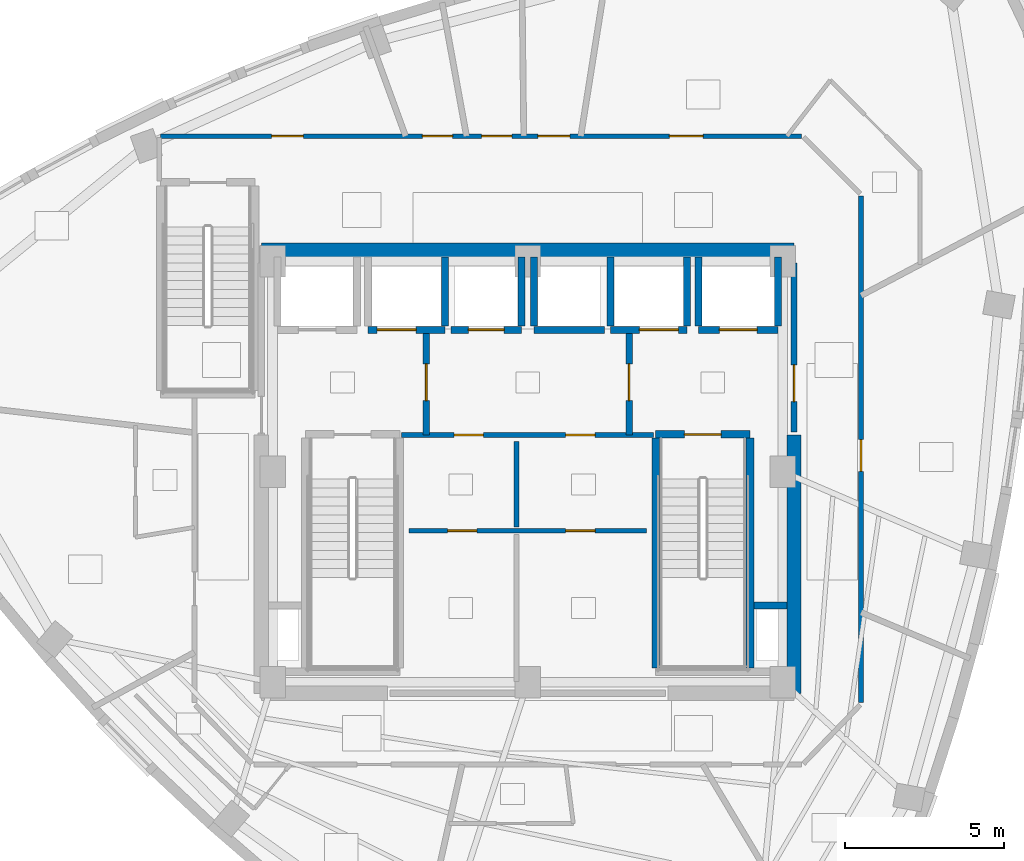
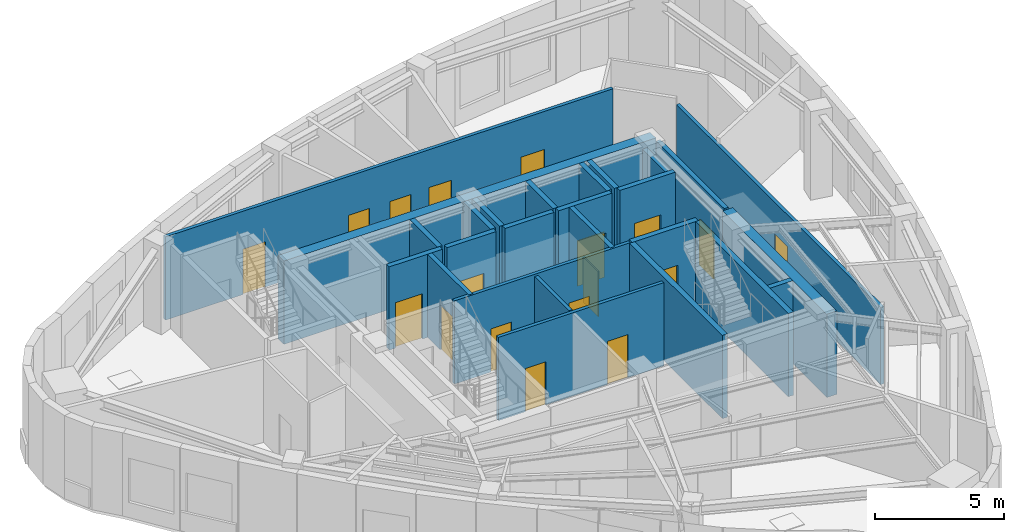
# One storey, part 4 of 9: 26 walls, 18 doors, 18 openings.
"""IFC4 building model written with IfcOpenShell, lengths in metres."""

from ifc_helpers import new_model, si_unit, direction, frame, frame_2d, origin, place, context, subcontext, project, spatial, rectangle, extrude, material, layer, layer_set, type_object, element, fill, save


model = new_model("IFC4")

# Units and contexts
model_context = context("Model", 3, precision=1e-05, world=origin(), true_north=direction((0.0, 1.0)))
body_context = subcontext(model_context, "Body", "Model", "MODEL_VIEW")
ifc_project = project(units=[si_unit("LENGTHUNIT", "METRE"), si_unit("AREAUNIT", "SQUARE_METRE"), si_unit("VOLUMEUNIT", "CUBIC_METRE"), si_unit("PLANEANGLEUNIT", "RADIAN"), si_unit("MASSUNIT", "GRAM", prefix="KILO")], contexts=[model_context])

# Site, building, storey
site_placement = place(None, origin())
site = spatial("IfcSite", under=ifc_project, at=site_placement, CompositionType="ELEMENT")
building_placement = place(site_placement, origin())
building = spatial("IfcBuilding", under=site, at=building_placement, Name="Ndelora Gate Hotel", CompositionType="ELEMENT")
storey_placement = place(building_placement, frame((0.0, 0.0, 268.60009765625)))
storey = spatial("IfcBuildingStorey", under=building, at=storey_placement, Name="L67", CompositionType="ELEMENT", Elevation=268.60009765625)

# Walls
ifc_material_1 = material(Name="Concrete C50/60", Category="concrete")
ifc_layer_1 = layer(ifc_material_1, 0.449951171875)
ifc_layer_set_1 = layer_set([ifc_layer_1], Name="Concrete C50/60")
wall_type_1 = type_object("IfcWallType", Name="WL-CORE-450", PredefinedType="SHEAR", material=ifc_layer_set_1)
wall_1_placement = place(storey_placement, frame((-8.35009765625, 6.949951171875, 0.0), z_axis=(0.0, 0.0, 1.0), x_axis=(1.0, 0.0, 0.0)))
element("IfcWall", 1, at=wall_1_placement, inside=storey, type_object=wall_type_1, Name="L67 Core Shear Wall N", PredefinedType="SHEAR", context=body_context, shape_type="SweptSolid", body=[
    extrude(rectangle(XDim=16.7001953125, YDim=0.449951171875, at=frame_2d((8.35009765625, 0.0))), origin(), (0.0, 0.0, 1.0), 3.949951171875),
])
wall_2_placement = place(storey_placement, frame((8.35009765625, -6.949951171875, 0.0), z_axis=(0.0, 0.0, 1.0), x_axis=(0.0, 1.0, 0.0)))
element("IfcWall", 2, at=wall_2_placement, inside=storey, type_object=wall_type_1, Name="L67 Core Shear Wall E", PredefinedType="SHEAR", context=body_context, shape_type="SweptSolid", body=[
    extrude(rectangle(XDim=8.099853515625, YDim=0.449951171875, at=frame_2d((4.0498046875, 0.0))), origin(), (0.0, 0.0, 1.0), 3.949951171875),
])

# Wall, opening, door
ifc_material_2 = material(Name="Concrete C40/50", Category="concrete")
ifc_layer_2 = layer(ifc_material_2, 0.199951171875)
ifc_layer_set_2 = layer_set([ifc_layer_2], Name="Concrete C40/50")
wall_type_2 = type_object("IfcWallType", Name="WL-FIRE-200", PredefinedType="PARTITIONING", material=ifc_layer_set_2)
wall_3_placement = place(storey_placement, frame((-3.179931640625, 1.14990234375, 0.0), z_axis=(0.0, 0.0, 1.0), x_axis=(0.0, 1.0, 0.0)))
wall_3 = element("IfcWall", 3, at=wall_3_placement, inside=storey, type_object=wall_type_2, Name="L67 Interior Wall IW-2", PredefinedType="PARTITIONING", context=body_context, shape_type="SweptSolid", body=[
    extrude(rectangle(XDim=3.300048828125, YDim=0.199951171875, at=frame_2d((1.64990234375, 0.0))), origin(), (0.0, 0.0, 1.0), 3.949951171875),
])
opening_1_placement = place(wall_3_placement, frame((1.080078125, 0.0, 0.0)))
opening_1 = element("IfcOpeningElement", 4, at=opening_1_placement, cuts=wall_3, Name="Opening FD1", PredefinedType="OPENING", context=body_context, shape_type="SweptSolid", body=[
    extrude(rectangle(XDim=1.14990234375, YDim=2.14990234375, at=frame_2d((0.574951171875, 1.074951171875))), frame((0.0, 0.10986328125, 0.0), z_axis=(0.0, -1.0, 0.0), x_axis=(1.0, 0.0, 0.0)), (0.0, 0.0, 1.0), 0.219970703125),
])
ifc_material_3 = material(Name="Fire-Rated Timber-Veneer Steel Core", Category="steel")
door_type_1 = type_object("IfcDoorType", Name="DR-FD60", OperationType="SINGLE_SWING_LEFT", PredefinedType="DOOR", material=ifc_material_3)
door_1_placement = place(opening_1_placement, origin())
door_1 = element("IfcDoor", 5, at=door_1_placement, inside=storey, type_object=door_type_1, Name="L67 Firefighting Lobby West Door", OperationType="SINGLE_SWING_RIGHT", OverallHeight=2.14990234375, OverallWidth=1.14990234375, PredefinedType="DOOR", context=body_context, shape_type="SweptSolid", body=[
    extrude(rectangle(XDim=1.14990234375, YDim=2.14990234375, at=frame_2d((0.574951171875, 1.074951171875))), frame((0.0, 0.02490234375, 0.0), z_axis=(0.0, -1.0, 0.0), x_axis=(1.0, 0.0, 0.0)), (0.0, 0.0, 1.0), 0.050048828125),
])
fill(opening_1, door_1)

wall_4_placement = place(storey_placement, frame((3.179931640625, 1.14990234375, 0.0), z_axis=(0.0, 0.0, 1.0), x_axis=(0.0, 1.0, 0.0)))
wall_4 = element("IfcWall", 6, at=wall_4_placement, inside=storey, type_object=wall_type_2, Name="L67 Interior Wall IW-2", PredefinedType="PARTITIONING", context=body_context, shape_type="SweptSolid", body=[
    extrude(rectangle(XDim=3.300048828125, YDim=0.199951171875, at=frame_2d((1.64990234375, 0.0))), origin(), (0.0, 0.0, 1.0), 3.949951171875),
])
opening_2_placement = place(wall_4_placement, frame((1.080078125, 0.0, 0.0)))
opening_2 = element("IfcOpeningElement", 7, at=opening_2_placement, cuts=wall_4, Name="Opening FD1", PredefinedType="OPENING", context=body_context, shape_type="SweptSolid", body=[
    extrude(rectangle(XDim=1.14990234375, YDim=2.14990234375, at=frame_2d((0.574951171875, 1.074951171875))), frame((0.0, 0.10986328125, 0.0), z_axis=(0.0, -1.0, 0.0), x_axis=(1.0, 0.0, 0.0)), (0.0, 0.0, 1.0), 0.219970703125),
])
door_2_placement = place(opening_2_placement, origin())
door_2 = element("IfcDoor", 8, at=door_2_placement, inside=storey, type_object=door_type_1, Name="L67 Firefighting Lobby East Door", OperationType="SINGLE_SWING_LEFT", OverallHeight=2.14990234375, OverallWidth=1.14990234375, PredefinedType="DOOR", context=body_context, shape_type="SweptSolid", body=[
    extrude(rectangle(XDim=1.14990234375, YDim=2.14990234375, at=frame_2d((0.574951171875, 1.074951171875))), frame((0.0, 0.02490234375, 0.0), z_axis=(0.0, -1.0, 0.0), x_axis=(1.0, 0.0, 0.0)), (0.0, 0.0, 1.0), 0.050048828125),
])
fill(opening_2, door_2)

wall_5_placement = place(storey_placement, frame((8.35009765625, 1.25, 0.0), z_axis=(0.0, 0.0, 1.0), x_axis=(0.0, 1.0, 0.0)))
wall_5 = element("IfcWall", 9, at=wall_5_placement, inside=storey, type_object=wall_type_2, Name="L67 Interior Wall IW-2", PredefinedType="PARTITIONING", context=body_context, shape_type="SweptSolid", body=[
    extrude(rectangle(XDim=5.300048828125, YDim=0.199951171875, at=frame_2d((2.64990234375, 0.0))), origin(), (0.0, 0.0, 1.0), 3.949951171875),
])
opening_3_placement = place(wall_5_placement, frame((0.949951171875, 0.0, 0.0)))
opening_3 = element("IfcOpeningElement", 10, at=opening_3_placement, cuts=wall_5, Name="Opening FD1", PredefinedType="OPENING", context=body_context, shape_type="SweptSolid", body=[
    extrude(rectangle(XDim=1.14990234375, YDim=2.14990234375, at=frame_2d((0.574951171875, 1.074951171875))), frame((0.0, 0.10986328125, 0.0), z_axis=(0.0, -1.0, 0.0), x_axis=(1.0, 0.0, 0.0)), (0.0, 0.0, 1.0), 0.219970703125),
])
door_3_placement = place(opening_3_placement, origin())
door_3 = element("IfcDoor", 11, at=door_3_placement, inside=storey, type_object=door_type_1, Name="L67 Firefighting Lobby East Corridor Door", OperationType="SINGLE_SWING_RIGHT", OverallHeight=2.14990234375, OverallWidth=1.14990234375, PredefinedType="DOOR", context=body_context, shape_type="SweptSolid", body=[
    extrude(rectangle(XDim=1.14990234375, YDim=2.14990234375, at=frame_2d((0.574951171875, 1.074951171875))), frame((0.0, 0.02490234375, 0.0), z_axis=(0.0, -1.0, 0.0), x_axis=(1.0, 0.0, 0.0)), (0.0, 0.0, 1.0), 0.050048828125),
])
fill(opening_3, door_3)

# Wall, openings, doors
ifc_material_4 = material(Name="Fire-Rated Gypsum Stud Partition", Category="gypsum")
ifc_layer_3 = layer(ifc_material_4, 0.14990234375)
ifc_layer_set_3 = layer_set([ifc_layer_3], Name="Fire-Rated Gypsum Stud Partition")
wall_type_3 = type_object("IfcWallType", Name="WL-PART-150", PredefinedType="PARTITIONING", material=ifc_layer_set_3)
wall_6_placement = place(storey_placement, frame((3.949951171875, 1.14990234375, 0.0), z_axis=(0.0, 0.0, 1.0), x_axis=(-1.0, 0.0, 0.0)))
wall_6 = element("IfcWall", 12, at=wall_6_placement, inside=storey, type_object=wall_type_3, Name="L67 Interior Wall IW-5", PredefinedType="PARTITIONING", context=body_context, shape_type="SweptSolid", body=[
    extrude(rectangle(XDim=7.89990234375, YDim=0.14990234375, at=frame_2d((3.949951171875, 0.0))), origin(), (0.0, 0.0, 1.0), 3.949951171875),
])
opening_4_placement = place(wall_6_placement, frame((5.340087890625, 0.0, 0.0)))
opening_4 = element("IfcOpeningElement", 13, at=opening_4_placement, cuts=wall_6, Name="Opening D04", PredefinedType="OPENING", context=body_context, shape_type="SweptSolid", body=[
    extrude(rectangle(XDim=0.919921875, YDim=2.050048828125, at=frame_2d((0.4599609375, 1.02490234375))), frame((0.0, 0.0849609375, 0.0), z_axis=(0.0, -1.0, 0.0), x_axis=(1.0, 0.0, 0.0)), (0.0, 0.0, 1.0), 0.169921875),
])
opening_5_placement = place(wall_6_placement, frame((1.840087890625, 0.0, 0.0)))
opening_5 = element("IfcOpeningElement", 14, at=opening_5_placement, cuts=wall_6, Name="Opening D04", PredefinedType="OPENING", context=body_context, shape_type="SweptSolid", body=[
    extrude(rectangle(XDim=0.919921875, YDim=2.050048828125, at=frame_2d((0.4599609375, 1.02490234375))), frame((0.0, 0.0849609375, 0.0), z_axis=(0.0, -1.0, 0.0), x_axis=(1.0, 0.0, 0.0)), (0.0, 0.0, 1.0), 0.169921875),
])
ifc_material_5 = material(Name="Painted Steel Core Service Door", Category="steel")
door_type_2 = type_object("IfcDoorType", Name="DR-SER-920", OperationType="SINGLE_SWING_LEFT", PredefinedType="DOOR", material=ifc_material_5)
door_4_placement = place(opening_4_placement, origin())
door_4 = element("IfcDoor", 15, at=door_4_placement, inside=storey, type_object=door_type_2, Name="L67 Core Electrical Closet Door", OperationType="SINGLE_SWING_LEFT", OverallHeight=2.050048828125, OverallWidth=0.919921875, PredefinedType="DOOR", context=body_context, shape_type="SweptSolid", body=[
    extrude(rectangle(XDim=0.919921875, YDim=2.050048828125, at=frame_2d((0.4599609375, 1.02490234375))), frame((0.0, 0.02490234375, 0.0), z_axis=(0.0, -1.0, 0.0), x_axis=(1.0, 0.0, 0.0)), (0.0, 0.0, 1.0), 0.050048828125),
])
fill(opening_4, door_4)
door_5_placement = place(opening_5_placement, origin())
door_5 = element("IfcDoor", 16, at=door_5_placement, inside=storey, type_object=door_type_2, Name="L67 Comms Patching Store Door", OperationType="SINGLE_SWING_RIGHT", OverallHeight=2.050048828125, OverallWidth=0.919921875, PredefinedType="DOOR", context=body_context, shape_type="SweptSolid", body=[
    extrude(rectangle(XDim=0.919921875, YDim=2.050048828125, at=frame_2d((0.4599609375, 1.02490234375))), frame((0.0, 0.02490234375, 0.0), z_axis=(0.0, -1.0, 0.0), x_axis=(1.0, 0.0, 0.0)), (0.0, 0.0, 1.0), 0.050048828125),
])
fill(opening_5, door_5)

wall_7_placement = place(storey_placement, frame((-3.719970703125, -1.85009765625, 0.0), z_axis=(0.0, 0.0, 1.0), x_axis=(1.0, 0.0, 0.0)))
wall_7 = element("IfcWall", 17, at=wall_7_placement, inside=storey, type_object=wall_type_3, Name="L67 Interior Wall IW-5", PredefinedType="PARTITIONING", context=body_context, shape_type="SweptSolid", body=[
    extrude(rectangle(XDim=7.43994140625, YDim=0.14990234375, at=frame_2d((3.719970703125, 0.0))), origin(), (0.0, 0.0, 1.0), 3.949951171875),
])
opening_6_placement = place(wall_7_placement, frame((1.2099609375, 0.0, 0.0)))
opening_6 = element("IfcOpeningElement", 18, at=opening_6_placement, cuts=wall_7, Name="Opening D04", PredefinedType="OPENING", context=body_context, shape_type="SweptSolid", body=[
    extrude(rectangle(XDim=0.919921875, YDim=2.050048828125, at=frame_2d((0.4599609375, 1.02490234375))), frame((0.0, 0.0849609375, 0.0), z_axis=(0.0, -1.0, 0.0), x_axis=(1.0, 0.0, 0.0)), (0.0, 0.0, 1.0), 0.169921875),
])
opening_7_placement = place(wall_7_placement, frame((4.909912109375, 0.0, 0.0)))
opening_7 = element("IfcOpeningElement", 19, at=opening_7_placement, cuts=wall_7, Name="Opening D04", PredefinedType="OPENING", context=body_context, shape_type="SweptSolid", body=[
    extrude(rectangle(XDim=0.919921875, YDim=2.050048828125, at=frame_2d((0.4599609375, 1.02490234375))), frame((0.0, 0.0849609375, 0.0), z_axis=(0.0, -1.0, 0.0), x_axis=(1.0, 0.0, 0.0)), (0.0, 0.0, 1.0), 0.169921875),
])
door_6_placement = place(opening_6_placement, origin())
door_6 = element("IfcDoor", 20, at=door_6_placement, inside=storey, type_object=door_type_2, Name="L67 Core Service Internal Door", OperationType="SINGLE_SWING_LEFT", OverallHeight=2.050048828125, OverallWidth=0.919921875, PredefinedType="DOOR", context=body_context, shape_type="SweptSolid", body=[
    extrude(rectangle(XDim=0.919921875, YDim=2.050048828125, at=frame_2d((0.4599609375, 1.02490234375))), frame((0.0, 0.02490234375, 0.0), z_axis=(0.0, -1.0, 0.0), x_axis=(1.0, 0.0, 0.0)), (0.0, 0.0, 1.0), 0.050048828125),
])
fill(opening_6, door_6)
door_7_placement = place(opening_7_placement, origin())
door_7 = element("IfcDoor", 21, at=door_7_placement, inside=storey, type_object=door_type_2, Name="L67 Core Service Internal Door", OperationType="SINGLE_SWING_LEFT", OverallHeight=2.050048828125, OverallWidth=0.919921875, PredefinedType="DOOR", context=body_context, shape_type="SweptSolid", body=[
    extrude(rectangle(XDim=0.919921875, YDim=2.050048828125, at=frame_2d((0.4599609375, 1.02490234375))), frame((0.0, 0.02490234375, 0.0), z_axis=(0.0, -1.0, 0.0), x_axis=(1.0, 0.0, 0.0)), (0.0, 0.0, 1.0), 0.050048828125),
])
fill(opening_7, door_7)

# Wall
wall_8_placement = place(storey_placement, frame((-0.35009765625, -1.72998046875, 0.0), z_axis=(0.0, 0.0, 1.0), x_axis=(0.0, 1.0, 0.0)))
element("IfcWall", 22, at=wall_8_placement, inside=storey, type_object=wall_type_3, Name="L67 Interior Wall IW-5", PredefinedType="PARTITIONING", context=body_context, shape_type="SweptSolid", body=[
    extrude(rectangle(XDim=2.679931640625, YDim=0.14990234375, at=frame_2d((1.33984375, 0.0))), origin(), (0.0, 0.0, 1.0), 3.949951171875),
])

# Wall, opening, door
wall_9_placement = place(storey_placement, frame((10.449951171875, 8.64990234375, 0.0), z_axis=(0.0, 0.0, 1.0), x_axis=(0.0, -1.0, 0.0)))
wall_9 = element("IfcWall", 23, at=wall_9_placement, inside=storey, type_object=wall_type_3, Name="L67 Interior Wall IW-5", PredefinedType="PARTITIONING", context=body_context, shape_type="SweptSolid", body=[
    extrude(rectangle(XDim=15.889892578125, YDim=0.14990234375, at=frame_2d((7.94482421875, 0.0))), origin(), (0.0, 0.0, 1.0), 3.659912109375),
])
opening_8_placement = place(wall_9_placement, frame((7.64111328125, 0.0, 0.0)))
opening_8 = element("IfcOpeningElement", 24, at=opening_8_placement, cuts=wall_9, Name="Opening D01", PredefinedType="OPENING", context=body_context, shape_type="SweptSolid", body=[
    extrude(rectangle(XDim=1.0, YDim=2.14990234375, at=frame_2d((0.5, 1.074951171875))), frame((0.0, 0.0849609375, 0.0), z_axis=(0.0, -1.0, 0.0), x_axis=(1.0, 0.0, 0.0)), (0.0, 0.0, 1.0), 0.169921875),
])
ifc_material_6 = material(Name="Acoustic Hardwood Guest Entrance Door", Category="wood")
door_type_3 = type_object("IfcDoorType", Name="DR-COR-1000", OperationType="SINGLE_SWING_LEFT", PredefinedType="DOOR", material=ifc_material_6)
door_8_placement = place(opening_8_placement, origin())
door_8 = element("IfcDoor", 25, at=door_8_placement, inside=storey, type_object=door_type_3, Name="L67 Crown Horizon Salon Entrance Door", OperationType="SINGLE_SWING_RIGHT", OverallHeight=2.14990234375, OverallWidth=1.0, PredefinedType="DOOR", context=body_context, shape_type="SweptSolid", body=[
    extrude(rectangle(XDim=1.0, YDim=2.14990234375, at=frame_2d((0.5, 1.074951171875))), frame((0.0, 0.02490234375, 0.0), z_axis=(0.0, -1.0, 0.0), x_axis=(1.0, 0.0, 0.0)), (0.0, 0.0, 1.0), 0.050048828125),
])
fill(opening_8, door_8)

# Wall, openings, doors
wall_10_placement = place(storey_placement, frame((-11.510009765625, 10.52001953125, 0.0), z_axis=(0.0, 0.0, 1.0), x_axis=(1.0, 0.0, 0.0)))
wall_10 = element("IfcWall", 26, at=wall_10_placement, inside=storey, type_object=wall_type_3, Name="L67 Interior Wall IW-5", PredefinedType="PARTITIONING", context=body_context, shape_type="SweptSolid", body=[
    extrude(rectangle(XDim=20.090087890625, YDim=0.14990234375, at=frame_2d((10.044921875, 0.0))), origin(), (0.0, 0.0, 1.0), 3.949951171875),
])
opening_9_placement = place(wall_10_placement, frame((8.2060546875, 0.0, 0.0)))
opening_9 = element("IfcOpeningElement", 27, at=opening_9_placement, cuts=wall_10, Name="Opening D05", PredefinedType="OPENING", context=body_context, shape_type="SweptSolid", body=[
    extrude(rectangle(XDim=0.949951171875, YDim=2.10009765625, at=frame_2d((0.47509765625, 1.050048828125))), frame((0.0, 0.0849609375, 0.0), z_axis=(0.0, -1.0, 0.0), x_axis=(1.0, 0.0, 0.0)), (0.0, 0.0, 1.0), 0.169921875),
])
opening_10_placement = place(wall_10_placement, frame((10.062744140625, 0.0, 0.0)))
opening_10 = element("IfcOpeningElement", 28, at=opening_10_placement, cuts=wall_10, Name="Opening D05", PredefinedType="OPENING", context=body_context, shape_type="SweptSolid", body=[
    extrude(rectangle(XDim=0.949951171875, YDim=2.10009765625, at=frame_2d((0.47509765625, 1.050048828125))), frame((0.0, 0.0849609375, 0.0), z_axis=(0.0, -1.0, 0.0), x_axis=(1.0, 0.0, 0.0)), (0.0, 0.0, 1.0), 0.169921875),
])
opening_11_placement = place(wall_10_placement, frame((11.831787109375, 0.0, 0.0)))
opening_11 = element("IfcOpeningElement", 29, at=opening_11_placement, cuts=wall_10, Name="Opening D01", PredefinedType="OPENING", context=body_context, shape_type="SweptSolid", body=[
    extrude(rectangle(XDim=1.0, YDim=2.14990234375, at=frame_2d((0.5, 1.074951171875))), frame((0.0, 0.0849609375, 0.0), z_axis=(0.0, -1.0, 0.0), x_axis=(1.0, 0.0, 0.0)), (0.0, 0.0, 1.0), 0.169921875),
])
opening_12_placement = place(wall_10_placement, frame((3.48046875, 0.0, 0.0)))
opening_12 = element("IfcOpeningElement", 30, at=opening_12_placement, cuts=wall_10, Name="Opening D01", PredefinedType="OPENING", context=body_context, shape_type="SweptSolid", body=[
    extrude(rectangle(XDim=1.0, YDim=2.14990234375, at=frame_2d((0.5, 1.074951171875))), frame((0.0, 0.0849609375, 0.0), z_axis=(0.0, -1.0, 0.0), x_axis=(1.0, 0.0, 0.0)), (0.0, 0.0, 1.0), 0.169921875),
])
opening_13_placement = place(wall_10_placement, frame((15.947998046875, 0.0, 0.0)))
opening_13 = element("IfcOpeningElement", 31, at=opening_13_placement, cuts=wall_10, Name="Opening D07", PredefinedType="OPENING", context=body_context, shape_type="SweptSolid", body=[
    extrude(rectangle(XDim=1.06005859375, YDim=2.14990234375, at=frame_2d((0.530029296875, 1.074951171875))), frame((0.0, 0.0849609375, 0.0), z_axis=(0.0, -1.0, 0.0), x_axis=(1.0, 0.0, 0.0)), (0.0, 0.0, 1.0), 0.169921875),
])
ifc_material_7 = material(Name="Accessible Restroom Wide-Clearance Door", Category="wood")
door_type_4 = type_object("IfcDoorType", Name="DR-ACC-950", OperationType="SINGLE_SWING_LEFT", PredefinedType="DOOR", material=ifc_material_7)
door_9_placement = place(opening_9_placement, origin())
door_9 = element("IfcDoor", 32, at=door_9_placement, inside=storey, type_object=door_type_4, Name="L67 Accessible WC Entrance Door", OperationType="SINGLE_SWING_RIGHT", OverallHeight=2.10009765625, OverallWidth=0.949951171875, PredefinedType="DOOR", context=body_context, shape_type="SweptSolid", body=[
    extrude(rectangle(XDim=0.949951171875, YDim=2.10009765625, at=frame_2d((0.47509765625, 1.050048828125))), frame((0.0, 0.02490234375, 0.0), z_axis=(0.0, -1.0, 0.0), x_axis=(1.0, 0.0, 0.0)), (0.0, 0.0, 1.0), 0.050048828125),
])
fill(opening_9, door_9)
door_10_placement = place(opening_10_placement, origin())
door_10 = element("IfcDoor", 33, at=door_10_placement, inside=storey, type_object=door_type_4, Name="L67 Male Public Restroom Entrance Door", OperationType="SINGLE_SWING_LEFT", OverallHeight=2.10009765625, OverallWidth=0.949951171875, PredefinedType="DOOR", context=body_context, shape_type="SweptSolid", body=[
    extrude(rectangle(XDim=0.949951171875, YDim=2.10009765625, at=frame_2d((0.47509765625, 1.050048828125))), frame((0.0, 0.02490234375, 0.0), z_axis=(0.0, -1.0, 0.0), x_axis=(1.0, 0.0, 0.0)), (0.0, 0.0, 1.0), 0.050048828125),
])
fill(opening_10, door_10)
door_11_placement = place(opening_11_placement, origin())
door_11 = element("IfcDoor", 34, at=door_11_placement, inside=storey, type_object=door_type_3, Name="L67 Housekeeping and Linen Room Entrance Door", OperationType="SINGLE_SWING_RIGHT", OverallHeight=2.14990234375, OverallWidth=1.0, PredefinedType="DOOR", context=body_context, shape_type="SweptSolid", body=[
    extrude(rectangle(XDim=1.0, YDim=2.14990234375, at=frame_2d((0.5, 1.074951171875))), frame((0.0, 0.02490234375, 0.0), z_axis=(0.0, -1.0, 0.0), x_axis=(1.0, 0.0, 0.0)), (0.0, 0.0, 1.0), 0.050048828125),
])
fill(opening_11, door_11)
door_12_placement = place(opening_12_placement, origin())
door_12 = element("IfcDoor", 35, at=door_12_placement, inside=storey, type_object=door_type_3, Name="L67 Sky Garden Tea Dining Room Entrance Door", OperationType="SINGLE_SWING_LEFT", OverallHeight=2.14990234375, OverallWidth=1.0, PredefinedType="DOOR", context=body_context, shape_type="SweptSolid", body=[
    extrude(rectangle(XDim=1.0, YDim=2.14990234375, at=frame_2d((0.5, 1.074951171875))), frame((0.0, 0.02490234375, 0.0), z_axis=(0.0, -1.0, 0.0), x_axis=(1.0, 0.0, 0.0)), (0.0, 0.0, 1.0), 0.050048828125),
])
fill(opening_12, door_12)
ifc_material_8 = material(Name="Diplomatic Suite Acoustic Entrance Door", Category="wood")
door_type_5 = type_object("IfcDoorType", Name="DR-SUITE-1060", OperationType="SINGLE_SWING_LEFT", PredefinedType="DOOR", material=ifc_material_8)
door_13_placement = place(opening_13_placement, origin())
door_13 = element("IfcDoor", 36, at=door_13_placement, inside=storey, type_object=door_type_5, Name="L67 Crown Horizon Suite 7004 Entrance Door", OperationType="SINGLE_SWING_RIGHT", OverallHeight=2.14990234375, OverallWidth=1.06005859375, PredefinedType="DOOR", context=body_context, shape_type="SweptSolid", body=[
    extrude(rectangle(XDim=1.06005859375, YDim=2.14990234375, at=frame_2d((0.530029296875, 1.074951171875))), frame((0.0, 0.02490234375, 0.0), z_axis=(0.0, -1.0, 0.0), x_axis=(1.0, 0.0, 0.0)), (0.0, 0.0, 1.0), 0.050048828125),
])
fill(opening_13, door_13)

# Wall
ifc_layer_4 = layer(ifc_material_2, 0.219970703125)
ifc_layer_set_4 = layer_set([ifc_layer_4], Name="Concrete C40/50")
wall_type_4 = type_object("IfcWallType", Name="WL-SHAFT-220", PredefinedType="PARTITIONING", material=ifc_layer_set_4)
wall_11_placement = place(storey_placement, frame((7.090087890625, -4.199951171875, 0.0), z_axis=(0.0, 0.0, 1.0), x_axis=(1.0, 0.0, 0.0)))
element("IfcWall", 37, at=wall_11_placement, inside=storey, type_object=wall_type_4, Name="L67 Interior Wall IW-1", PredefinedType="PARTITIONING", context=body_context, shape_type="SweptSolid", body=[
    extrude(rectangle(XDim=1.034912109375, YDim=0.219970703125, at=frame_2d((0.517578125, 0.0))), origin(), (0.0, 0.0, 1.0), 3.949951171875),
])

# Wall, opening, door
wall_12_placement = place(storey_placement, frame((5.35009765625, 4.449951171875, 0.0), z_axis=(0.0, 0.0, 1.0), x_axis=(1.0, 0.0, 0.0)))
wall_12 = element("IfcWall", 38, at=wall_12_placement, inside=storey, type_object=wall_type_4, Name="L67 Interior Wall IW-1", PredefinedType="PARTITIONING", context=body_context, shape_type="SweptSolid", body=[
    extrude(rectangle(XDim=2.5, YDim=0.219970703125, at=frame_2d((1.25, 0.0))), origin(), (0.0, 0.0, 1.0), 3.949951171875),
])
opening_14_placement = place(wall_12_placement, frame((0.659912109375, 0.0, 0.0)))
opening_14 = element("IfcOpeningElement", 39, at=opening_14_placement, cuts=wall_12, Name="Opening LD5", PredefinedType="OPENING", context=body_context, shape_type="SweptSolid", body=[
    extrude(rectangle(XDim=1.179931640625, YDim=2.14990234375, at=frame_2d((0.58984375, 1.074951171875))), frame((0.0, 0.1201171875, 0.0), z_axis=(0.0, -1.0, 0.0), x_axis=(1.0, 0.0, 0.0)), (0.0, 0.0, 1.0), 0.239990234375),
])
ifc_material_9 = material(Name="Firefighting Lift Stainless Sliding Landing Door", Category="metal")
door_type_6 = type_object("IfcDoorType", Name="DR-LD5", OperationType="DOUBLE_DOOR_SLIDING", PredefinedType="DOOR", material=ifc_material_9)
door_14_placement = place(opening_14_placement, origin())
door_14 = element("IfcDoor", 40, at=door_14_placement, inside=storey, type_object=door_type_6, Name="L67 Lift Landing Sliding Door FFL2", OperationType="DOUBLE_DOOR_SLIDING", OverallHeight=2.14990234375, OverallWidth=1.179931640625, PredefinedType="DOOR", context=body_context, shape_type="SweptSolid", body=[
    extrude(rectangle(XDim=1.179931640625, YDim=2.14990234375, at=frame_2d((0.58984375, 1.074951171875))), frame((0.0, 0.02490234375, 0.0), z_axis=(0.0, -1.0, 0.0), x_axis=(1.0, 0.0, 0.0)), (0.0, 0.0, 1.0), 0.050048828125),
])
fill(opening_14, door_14)

# Walls
wall_13_placement = place(storey_placement, frame((5.35009765625, 4.570068359375, 0.0), z_axis=(0.0, 0.0, 1.0), x_axis=(0.0, 1.0, 0.0)))
element("IfcWall", 41, at=wall_13_placement, inside=storey, type_object=wall_type_4, Name="L67 Interior Wall IW-1", PredefinedType="PARTITIONING", context=body_context, shape_type="SweptSolid", body=[
    extrude(rectangle(XDim=2.155029296875, YDim=0.219970703125, at=frame_2d((1.07763671875, 0.0))), origin(), (0.0, 0.0, 1.0), 3.949951171875),
])
wall_14_placement = place(storey_placement, frame((7.85009765625, 4.570068359375, 0.0), z_axis=(0.0, 0.0, 1.0), x_axis=(0.0, 1.0, 0.0)))
element("IfcWall", 42, at=wall_14_placement, inside=storey, type_object=wall_type_4, Name="L67 Interior Wall IW-1", PredefinedType="PARTITIONING", context=body_context, shape_type="SweptSolid", body=[
    extrude(rectangle(XDim=2.155029296875, YDim=0.219970703125, at=frame_2d((1.07763671875, 0.0))), origin(), (0.0, 0.0, 1.0), 3.6298828125),
])

# Wall, opening, door
wall_15_placement = place(storey_placement, frame((-5.0, 4.449951171875, 0.0), z_axis=(0.0, 0.0, 1.0), x_axis=(1.0, 0.0, 0.0)))
wall_15 = element("IfcWall", 43, at=wall_15_placement, inside=storey, type_object=wall_type_4, Name="L67 Interior Wall IW-1", PredefinedType="PARTITIONING", context=body_context, shape_type="SweptSolid", body=[
    extrude(rectangle(XDim=2.39990234375, YDim=0.219970703125, at=frame_2d((1.199951171875, 0.0))), origin(), (0.0, 0.0, 1.0), 3.949951171875),
])
opening_15_placement = place(wall_15_placement, frame((0.280029296875, 0.0, 0.0)))
opening_15 = element("IfcOpeningElement", 44, at=opening_15_placement, cuts=wall_15, Name="Opening LD6", PredefinedType="OPENING", context=body_context, shape_type="SweptSolid", body=[
    extrude(rectangle(XDim=1.219970703125, YDim=2.14990234375, at=frame_2d((0.60986328125, 1.074951171875))), frame((0.0, 0.1201171875, 0.0), z_axis=(0.0, -1.0, 0.0), x_axis=(1.0, 0.0, 0.0)), (0.0, 0.0, 1.0), 0.239990234375),
])
ifc_material_10 = material(Name="Heavy-Duty Service Lift Sliding Landing Door", Category="wood")
door_type_7 = type_object("IfcDoorType", Name="DR-LD6", OperationType="DOUBLE_DOOR_SLIDING", PredefinedType="DOOR", material=ifc_material_10)
door_15_placement = place(opening_15_placement, origin())
door_15 = element("IfcDoor", 45, at=door_15_placement, inside=storey, type_object=door_type_7, Name="L67 Lift Landing Sliding Door SVL1", OperationType="DOUBLE_DOOR_SLIDING", OverallHeight=2.14990234375, OverallWidth=1.219970703125, PredefinedType="DOOR", context=body_context, shape_type="SweptSolid", body=[
    extrude(rectangle(XDim=1.219970703125, YDim=2.14990234375, at=frame_2d((0.60986328125, 1.074951171875))), frame((0.0, 0.02490234375, 0.0), z_axis=(0.0, -1.0, 0.0), x_axis=(1.0, 0.0, 0.0)), (0.0, 0.0, 1.0), 0.050048828125),
])
fill(opening_15, door_15)

# Wall
wall_16_placement = place(storey_placement, frame((-2.60009765625, 4.570068359375, 0.0), z_axis=(0.0, 0.0, 1.0), x_axis=(0.0, 1.0, 0.0)))
element("IfcWall", 46, at=wall_16_placement, inside=storey, type_object=wall_type_4, Name="L67 Interior Wall IW-1", PredefinedType="PARTITIONING", context=body_context, shape_type="SweptSolid", body=[
    extrude(rectangle(XDim=2.155029296875, YDim=0.219970703125, at=frame_2d((1.07763671875, 0.0))), origin(), (0.0, 0.0, 1.0), 3.949951171875),
])

# Wall, opening, door
wall_17_placement = place(storey_placement, frame((2.60009765625, 4.449951171875, 0.0), z_axis=(0.0, 0.0, 1.0), x_axis=(1.0, 0.0, 0.0)))
wall_17 = element("IfcWall", 47, at=wall_17_placement, inside=storey, type_object=wall_type_4, Name="L67 Interior Wall IW-1", PredefinedType="PARTITIONING", context=body_context, shape_type="SweptSolid", body=[
    extrude(rectangle(XDim=2.39990234375, YDim=0.219970703125, at=frame_2d((1.199951171875, 0.0))), origin(), (0.0, 0.0, 1.0), 3.949951171875),
])
opening_16_placement = place(wall_17_placement, frame((0.89990234375, 0.0, 0.0)))
opening_16 = element("IfcOpeningElement", 48, at=opening_16_placement, cuts=wall_17, Name="Opening LD6", PredefinedType="OPENING", context=body_context, shape_type="SweptSolid", body=[
    extrude(rectangle(XDim=1.219970703125, YDim=2.14990234375, at=frame_2d((0.60986328125, 1.074951171875))), frame((0.0, 0.1201171875, 0.0), z_axis=(0.0, -1.0, 0.0), x_axis=(1.0, 0.0, 0.0)), (0.0, 0.0, 1.0), 0.239990234375),
])
door_16_placement = place(opening_16_placement, origin())
door_16 = element("IfcDoor", 49, at=door_16_placement, inside=storey, type_object=door_type_7, Name="L67 Lift Landing Sliding Door SVL2", OperationType="DOUBLE_DOOR_SLIDING", OverallHeight=2.14990234375, OverallWidth=1.219970703125, PredefinedType="DOOR", context=body_context, shape_type="SweptSolid", body=[
    extrude(rectangle(XDim=1.219970703125, YDim=2.14990234375, at=frame_2d((0.60986328125, 1.074951171875))), frame((0.0, 0.02490234375, 0.0), z_axis=(0.0, -1.0, 0.0), x_axis=(1.0, 0.0, 0.0)), (0.0, 0.0, 1.0), 0.050048828125),
])
fill(opening_16, door_16)

# Walls
for number, where, z_axis, x_axis, name in (
    (50, (2.60009765625, 4.570068359375, 0.0), (0.0, 0.0, 1.0), (0.0, 1.0, 0.0), "L67 Interior Wall IW-1"),
    (51, (5.0, 4.570068359375, 0.0), (0.0, 0.0, 1.0), (0.0, 1.0, 0.0), "L67 Interior Wall IW-1"),
):
    element("IfcWall", number, at=place(storey_placement, frame(where, z_axis=z_axis, x_axis=x_axis)), inside=storey, type_object=wall_type_4, Name=name, PredefinedType="PARTITIONING", context=body_context, shape_type="SweptSolid", body=[
        extrude(rectangle(XDim=2.155029296875, YDim=0.219970703125, at=frame_2d((1.07763671875, 0.0))), origin(), (0.0, 0.0, 1.0), 3.949951171875),
    ])

# Wall, opening, door
wall_18_placement = place(storey_placement, frame((-2.39990234375, 4.449951171875, 0.0), z_axis=(0.0, 0.0, 1.0), x_axis=(1.0, 0.0, 0.0)))
wall_18 = element("IfcWall", 52, at=wall_18_placement, inside=storey, type_object=wall_type_4, Name="L67 Interior Wall IW-1", PredefinedType="PARTITIONING", context=body_context, shape_type="SweptSolid", body=[
    extrude(rectangle(XDim=2.199951171875, YDim=0.219970703125, at=frame_2d((1.10009765625, 0.0))), origin(), (0.0, 0.0, 1.0), 3.949951171875),
])
opening_17_placement = place(wall_18_placement, frame((0.5400390625, 0.0, 0.0)))
opening_17 = element("IfcOpeningElement", 53, at=opening_17_placement, cuts=wall_18, Name="Opening LD3", PredefinedType="OPENING", context=body_context, shape_type="SweptSolid", body=[
    extrude(rectangle(XDim=1.1201171875, YDim=2.14990234375, at=frame_2d((0.56005859375, 1.074951171875))), frame((0.0, 0.1201171875, 0.0), z_axis=(0.0, -1.0, 0.0), x_axis=(1.0, 0.0, 0.0)), (0.0, 0.0, 1.0), 0.239990234375),
])
ifc_material_11 = material(Name="Brushed Bronze Stainless Lift Landing Door", Category="metal")
door_type_8 = type_object("IfcDoorType", Name="DR-LD3", OperationType="DOUBLE_DOOR_SLIDING", PredefinedType="DOOR", material=ifc_material_11)
door_17_placement = place(opening_17_placement, origin())
door_17 = element("IfcDoor", 54, at=door_17_placement, inside=storey, type_object=door_type_8, Name="L67 Lift Landing Sliding Door P3A", OperationType="DOUBLE_DOOR_SLIDING", OverallHeight=2.14990234375, OverallWidth=1.1201171875, PredefinedType="DOOR", context=body_context, shape_type="SweptSolid", body=[
    extrude(rectangle(XDim=1.1201171875, YDim=2.14990234375, at=frame_2d((0.56005859375, 1.074951171875))), frame((0.0, 0.02490234375, 0.0), z_axis=(0.0, -1.0, 0.0), x_axis=(1.0, 0.0, 0.0)), (0.0, 0.0, 1.0), 0.050048828125),
])
fill(opening_17, door_17)

# Walls
wall_19_placement = place(storey_placement, frame((-0.199951171875, 4.570068359375, 0.0), z_axis=(0.0, 0.0, 1.0), x_axis=(0.0, 1.0, 0.0)))
element("IfcWall", 55, at=wall_19_placement, inside=storey, type_object=wall_type_4, Name="L67 Interior Wall IW-1", PredefinedType="PARTITIONING", context=body_context, shape_type="SweptSolid", body=[
    extrude(rectangle(XDim=2.155029296875, YDim=0.219970703125, at=frame_2d((1.07763671875, 0.0))), origin(), (0.0, 0.0, 1.0), 3.949951171875),
])
wall_20_placement = place(storey_placement, frame((0.199951171875, 4.449951171875, 0.0), z_axis=(0.0, 0.0, 1.0), x_axis=(1.0, 0.0, 0.0)))
element("IfcWall", 56, at=wall_20_placement, inside=storey, type_object=wall_type_4, Name="L67 Interior Wall IW-1", PredefinedType="PARTITIONING", context=body_context, shape_type="SweptSolid", body=[
    extrude(rectangle(XDim=2.199951171875, YDim=0.219970703125, at=frame_2d((1.10009765625, 0.0))), origin(), (0.0, 0.0, 1.0), 3.949951171875),
])
wall_21_placement = place(storey_placement, frame((0.199951171875, 4.570068359375, 0.0), z_axis=(0.0, 0.0, 1.0), x_axis=(0.0, 1.0, 0.0)))
element("IfcWall", 57, at=wall_21_placement, inside=storey, type_object=wall_type_4, Name="L67 Interior Wall IW-1", PredefinedType="PARTITIONING", context=body_context, shape_type="SweptSolid", body=[
    extrude(rectangle(XDim=2.155029296875, YDim=0.219970703125, at=frame_2d((1.07763671875, 0.0))), origin(), (0.0, 0.0, 1.0), 3.949951171875),
])
ifc_layer_5 = layer(ifc_material_1, 0.239990234375)
ifc_layer_set_5 = layer_set([ifc_layer_5], Name="Concrete C50/60")
wall_type_5 = type_object("IfcWallType", Name="WL-STAIR-240", PredefinedType="SHEAR", material=ifc_layer_set_5)
for number, where, z_axis, x_axis, name in (
    (58, (4.010009765625, -6.159912109375, 0.0), (0.0, 0.0, 1.0), (0.0, 1.0, 0.0), "L67 Stair Core Shear Wall SW-ST"),
    (59, (6.969970703125, -6.159912109375, 0.0), (0.0, 0.0, 1.0), (0.0, 1.0, 0.0), "L67 Stair Core Shear Wall SW-ST"),
):
    element("IfcWall", number, at=place(storey_placement, frame(where, z_axis=z_axis, x_axis=x_axis)), inside=storey, type_object=wall_type_5, Name=name, PredefinedType="SHEAR", context=body_context, shape_type="SweptSolid", body=[
        extrude(rectangle(XDim=7.219970703125, YDim=0.239990234375, at=frame_2d((3.60986328125, 0.0))), origin(), (0.0, 0.0, 1.0), 3.949951171875),
    ])

# Wall, opening, door
wall_22_placement = place(storey_placement, frame((4.010009765625, 1.169921875, 0.0), z_axis=(0.0, 0.0, 1.0), x_axis=(1.0, 0.0, 0.0)))
wall_22 = element("IfcWall", 60, at=wall_22_placement, inside=storey, type_object=wall_type_5, Name="L67 Stair Core Shear Wall SW-ST", PredefinedType="SHEAR", context=body_context, shape_type="SweptSolid", body=[
    extrude(rectangle(XDim=2.9599609375, YDim=0.239990234375, at=frame_2d((1.47998046875, 0.0))), origin(), (0.0, 0.0, 1.0), 3.949951171875),
])
opening_18_placement = place(wall_22_placement, frame((0.89990234375, 0.0, 0.0)))
opening_18 = element("IfcOpeningElement", 61, at=opening_18_placement, cuts=wall_22, Name="Opening FD1", PredefinedType="OPENING", context=body_context, shape_type="SweptSolid", body=[
    extrude(rectangle(XDim=1.14990234375, YDim=2.14990234375, at=frame_2d((0.574951171875, 1.074951171875))), frame((0.0, 0.1298828125, 0.0), z_axis=(0.0, -1.0, 0.0), x_axis=(1.0, 0.0, 0.0)), (0.0, 0.0, 1.0), 0.260009765625),
])
door_18_placement = place(opening_18_placement, origin())
door_18 = element("IfcDoor", 62, at=door_18_placement, inside=storey, type_object=door_type_1, Name="L67 Exit Stair ST5 Door", OperationType="SINGLE_SWING_RIGHT", OverallHeight=2.14990234375, OverallWidth=1.14990234375, PredefinedType="DOOR", context=body_context, shape_type="SweptSolid", body=[
    extrude(rectangle(XDim=1.14990234375, YDim=2.14990234375, at=frame_2d((0.574951171875, 1.074951171875))), frame((0.0, 0.02490234375, 0.0), z_axis=(0.0, -1.0, 0.0), x_axis=(1.0, 0.0, 0.0)), (0.0, 0.0, 1.0), 0.050048828125),
])
fill(opening_18, door_18)

save(model, "model.ifc")
